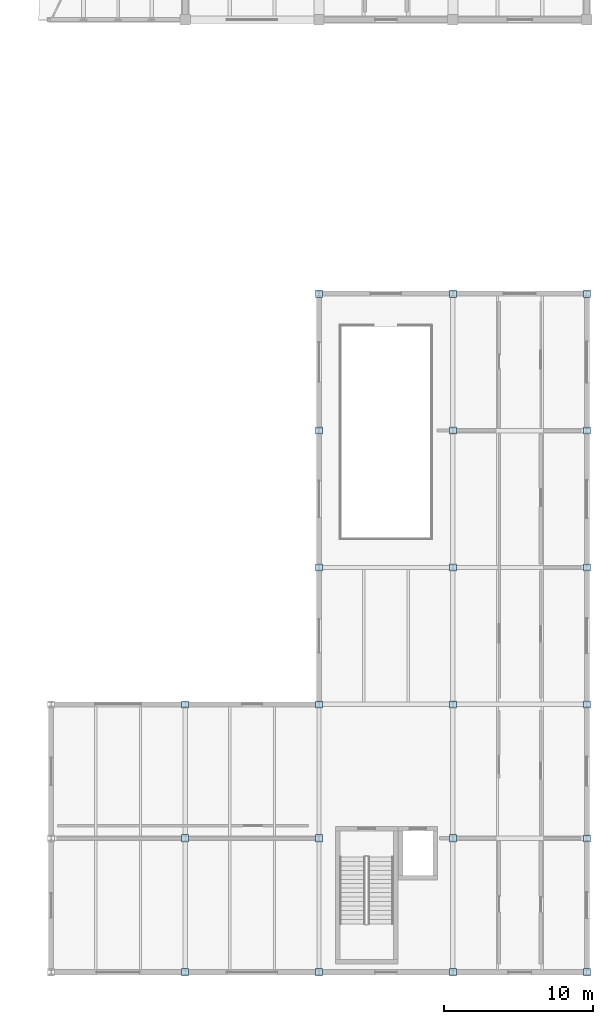
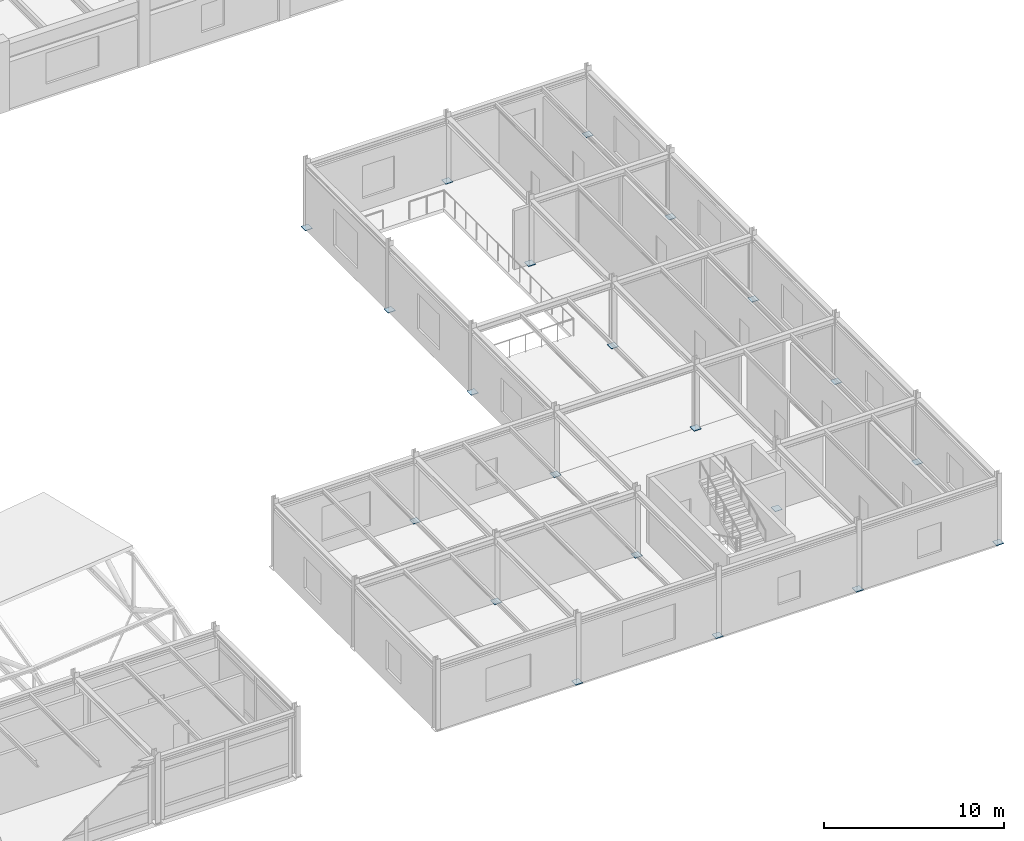
# One storey, part 67 of 90: 21 plates.
"""IFC4 building model written with IfcOpenShell, lengths in metres."""

from ifc_helpers import new_model, si_unit, direction, frame, origin, origin_2d, place, context, subcontext, project, spatial, rectangle, extrude, material, layer, layer_set, type_object, element, save


model = new_model("IFC4")

# Units and contexts
model_context = context("Model", 3, precision=1e-05, world=origin(), true_north=direction((0.0, 1.0)))
body_context = subcontext(model_context, "Body", "Model", "MODEL_VIEW")
ifc_project = project(units=[si_unit("LENGTHUNIT", "METRE"), si_unit("AREAUNIT", "SQUARE_METRE"), si_unit("VOLUMEUNIT", "CUBIC_METRE"), si_unit("PLANEANGLEUNIT", "RADIAN"), si_unit("MASSUNIT", "GRAM", prefix="KILO")], contexts=[model_context])

# Site, building, storey
site_placement = place(None, origin())
site = spatial("IfcSite", under=ifc_project, at=site_placement, CompositionType="ELEMENT")
building_placement = place(site_placement, origin())
building = spatial("IfcBuilding", under=site, at=building_placement, Name="Bozkorgan Art Gallery", CompositionType="ELEMENT")
storey_placement = place(building_placement, frame((0.0, 0.0, 5.39990234375)))
storey = spatial("IfcBuildingStorey", under=building, at=storey_placement, Name="L01", CompositionType="ELEMENT", Elevation=5.39990234375)

# Plates
ifc_material = material(Name="Steel S355J2", Category="steel")
ifc_layer_1 = layer(ifc_material, 0.031982421875, Name="Steel S355J2")
ifc_layer_set_1 = layer_set([ifc_layer_1], Name="Steel S355J2")
plate_type_1 = type_object("IfcPlateType", Name="PLATE-BP-24", PredefinedType="USERDEFINED", material=ifc_layer_set_1)
for number, where, z_axis, x_axis, name in (
    (1, (137.0, 11.0, 0.0), (0.0, 0.0, 1.0), (1.0, 0.0, 0.0), "COL-V6-L01-137-11 base plate"),
    (2, (146.0, 11.0, 0.0), (0.0, 0.0, 1.0), (1.0, 0.0, 0.0), "COL-V6-L01-146-11 base plate"),
    (3, (146.0, 20.0, 0.0), (0.0, 0.0, 1.0), (1.0, 0.0, 0.0), "COL-V6-L01-146-20 base plate"),
    (4, (155.0, 11.0, 0.0), (0.0, 0.0, 1.0), (1.0, 0.0, 0.0), "COL-V6-L01-155-11 base plate"),
    (5, (155.0, 20.0, 0.0), (0.0, 0.0, 1.0), (1.0, 0.0, 0.0), "COL-V6-L01-155-20 base plate"),
    (6, (155.0, 29.199951171875, 0.0), (0.0, 0.0, 1.0), (1.0, 0.0, 0.0), "COL-V6-L01-155-29 base plate"),
    (7, (155.0, 38.39990234375, 0.0), (0.0, 0.0, 1.0), (1.0, 0.0, 0.0), "COL-V6-L01-155-38 base plate"),
):
    element("IfcPlate", number, at=place(storey_placement, frame(where, z_axis=z_axis, x_axis=x_axis)), inside=storey, type_object=plate_type_1, Name=name, ObjectType="END CAP PLATE", PredefinedType="USERDEFINED", context=body_context, shape_type="SweptSolid", body=[
        extrude(rectangle(XDim=0.4599609375, YDim=0.489990234375, at=origin_2d()), origin(), (0.0, 0.0, 1.0), 0.031982421875),
    ])
ifc_layer_2 = layer(ifc_material, 0.031982421875, Name="Steel S355J2")
ifc_layer_set_2 = layer_set([ifc_layer_2], Name="Steel S355J2")
plate_type_2 = type_object("IfcPlateType", Name="PLATE-BP-41", PredefinedType="USERDEFINED", material=ifc_layer_set_2)
for number, where, z_axis, x_axis, name in (
    (8, (137.0, 2.0, 0.0), (0.0, 0.0, 1.0), (1.0, 0.0, 0.0), "COL-V6-L01-137-2 base plate"),
    (9, (137.0, 20.0, 0.0), (0.0, 0.0, 1.0), (1.0, 0.0, 0.0), "COL-V6-L01-137-20 base plate"),
    (10, (146.0, 2.0, 0.0), (0.0, 0.0, 1.0), (1.0, 0.0, 0.0), "COL-V6-L01-146-2 base plate"),
    (11, (146.0, 29.199951171875, 0.0), (0.0, 0.0, 1.0), (1.0, 0.0, 0.0), "COL-V6-L01-146-29 base plate"),
    (12, (146.0, 38.39990234375, 0.0), (0.0, 0.0, 1.0), (1.0, 0.0, 0.0), "COL-V6-L01-146-38 base plate"),
    (13, (146.0, 47.60009765625, 0.0), (0.0, 0.0, 1.0), (1.0, 0.0, 0.0), "COL-V6-L01-146-48 base plate"),
    (14, (155.0, 2.0, 0.0), (0.0, 0.0, 1.0), (1.0, 0.0, 0.0), "COL-V6-L01-155-2 base plate"),
    (15, (155.0, 47.60009765625, 0.0), (0.0, 0.0, 1.0), (1.0, 0.0, 0.0), "COL-V6-L01-155-48 base plate"),
    (16, (164.0, 2.0, 0.0), (0.0, 0.0, 1.0), (1.0, 0.0, 0.0), "COL-V6-L01-164-2 base plate"),
    (17, (164.0, 11.0, 0.0), (0.0, 0.0, 1.0), (1.0, 0.0, 0.0), "COL-V6-L01-164-11 base plate"),
    (18, (164.0, 20.0, 0.0), (0.0, 0.0, 1.0), (1.0, 0.0, 0.0), "COL-V6-L01-164-20 base plate"),
    (19, (164.0, 29.199951171875, 0.0), (0.0, 0.0, 1.0), (1.0, 0.0, 0.0), "COL-V6-L01-164-29 base plate"),
    (20, (164.0, 38.39990234375, 0.0), (0.0, 0.0, 1.0), (1.0, 0.0, 0.0), "COL-V6-L01-164-38 base plate"),
    (21, (164.0, 47.60009765625, 0.0), (0.0, 0.0, 1.0), (1.0, 0.0, 0.0), "COL-V6-L01-164-48 base plate"),
):
    element("IfcPlate", number, at=place(storey_placement, frame(where, z_axis=z_axis, x_axis=x_axis)), inside=storey, type_object=plate_type_2, Name=name, ObjectType="END CAP PLATE", PredefinedType="USERDEFINED", context=body_context, shape_type="SweptSolid", body=[
        extrude(rectangle(XDim=0.4599609375, YDim=0.47998046875, at=origin_2d()), origin(), (0.0, 0.0, 1.0), 0.031982421875),
    ])

save(model, "model.ifc")
